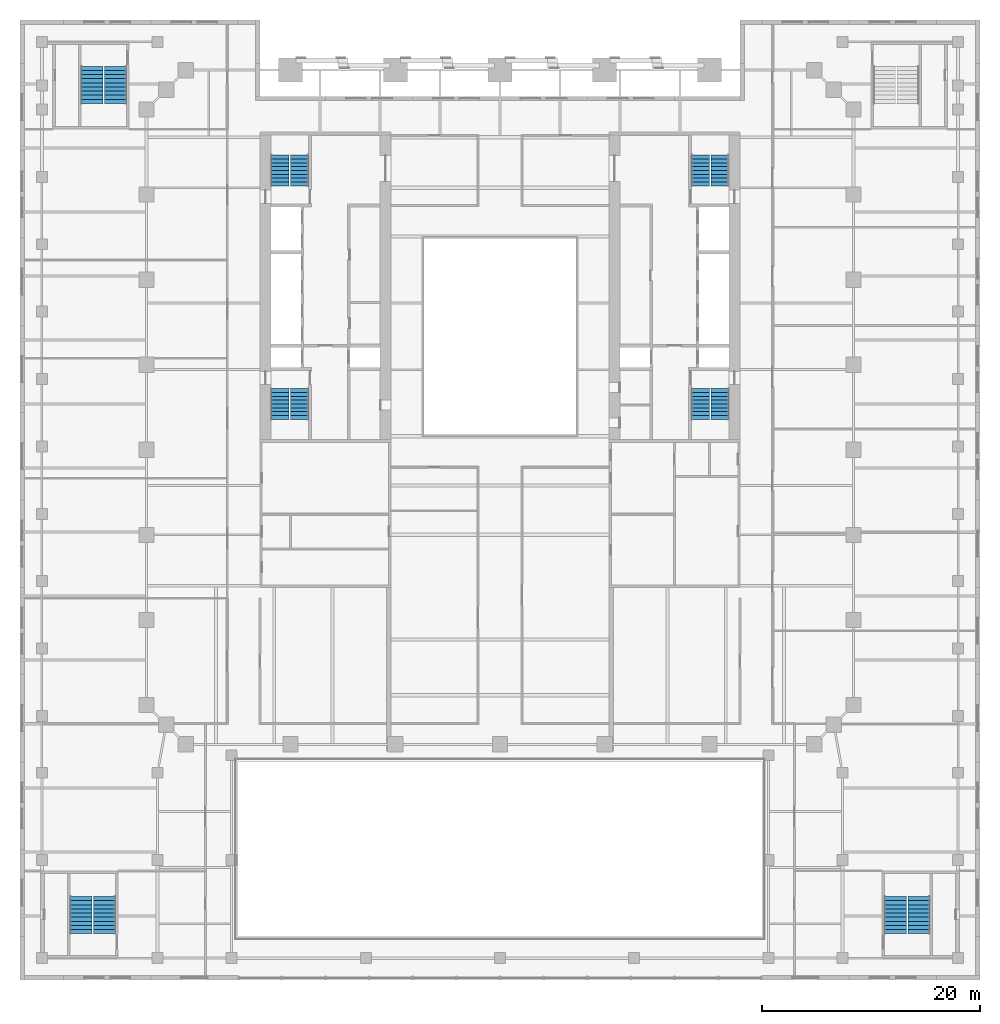
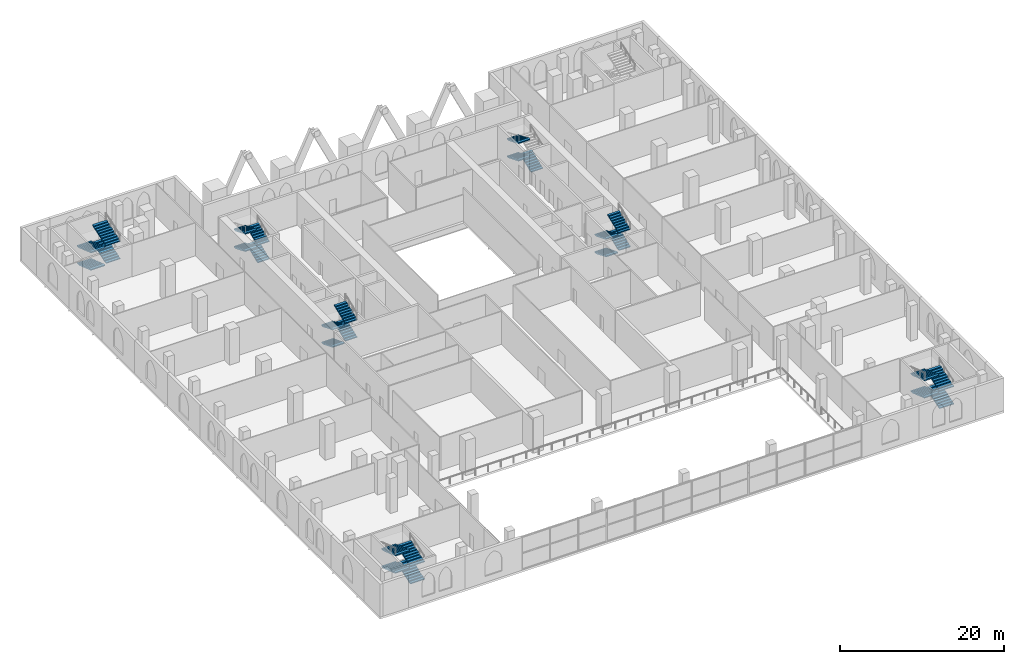
# One storey, part 19 of 22: 27 stair flights, 7 elements without a shape of their own.
"""IFC4 building model written with IfcOpenShell, lengths in metres."""

from ifc_helpers import new_model, si_unit, direction, frame, origin, place, context, subcontext, project, spatial, polyline, outline, extrude, material, type_object, element, aggregate, save


model = new_model("IFC4")

# Units and contexts
model_context = context("Model", 3, precision=1e-05, world=origin(), true_north=direction((0.0, 1.0)))
body_context = subcontext(model_context, "Body", "Model", "MODEL_VIEW")
ifc_project = project(units=[si_unit("LENGTHUNIT", "METRE"), si_unit("AREAUNIT", "SQUARE_METRE"), si_unit("VOLUMEUNIT", "CUBIC_METRE"), si_unit("PLANEANGLEUNIT", "RADIAN"), si_unit("MASSUNIT", "GRAM", prefix="KILO")], contexts=[model_context])

# Site, building, storey
site_placement = place(None, origin())
site = spatial("IfcSite", under=ifc_project, at=site_placement, CompositionType="ELEMENT")
building_placement = place(site_placement, origin())
building = spatial("IfcBuilding", under=site, at=building_placement, Name="Ogive Exchange Tower", CompositionType="ELEMENT")
storey_placement = place(building_placement, frame((0.0, 0.0, 14.0)))
storey = spatial("IfcBuildingStorey", under=building, at=storey_placement, Name="L02", CompositionType="ELEMENT", Elevation=14.0)

# Stair, stair flights
ifc_material = material(Name="Concrete C40/50", Category="concrete")
stair_type_1 = type_object("IfcStairType", Name="Exit stair 1650 wide", PredefinedType="HALF_TURN_STAIR", material=ifc_material)
stair_1_placement = place(storey_placement, origin())
stair_1 = element("IfcStair", 1, at=stair_1_placement, inside=storey, type_object=stair_type_1, Name="L02 exit stair ST1", PredefinedType="HALF_TURN_STAIR")
stair_flight_type_1 = type_object("IfcStairFlightType", Name="Stair flight 1650 wide", PredefinedType="STRAIGHT", material=ifc_material)
stair_flight_1_placement = place(storey_placement, frame((-20.175048828125, 2.199951171875, 0.0), z_axis=(0.0, 0.0, 1.0), x_axis=(0.0, -1.0, 0.0)))
stair_flight_1 = element("IfcStairFlight", 2, at=stair_flight_1_placement, type_object=stair_flight_type_1, Name="ST1 flight 1", NumberOfRisers=9, NumberOfTreads=8, PredefinedType="STRAIGHT", RiserHeight=0.144444444, TreadLength=0.351, context=body_context, shape_type="SweptSolid", body=[
    extrude(outline(polyline([(0.0, 0.0), (0.0, 0.14453125), (0.35107421875, 0.14453125), (0.35107421875, 0.288818359375), (0.701904296875, 0.288818359375), (0.701904296875, 0.433349609375), (1.052978515625, 0.433349609375), (1.052978515625, 0.577880859375), (1.404052734375, 0.577880859375), (1.404052734375, 0.72216796875), (1.7548828125, 0.72216796875), (1.7548828125, 0.86669921875), (2.10595703125, 0.86669921875), (2.10595703125, 1.01123046875), (2.45703125, 1.01123046875), (2.45703125, 1.155517578125), (2.80810546875, 1.155517578125), (2.80810546875, 1.300048828125), (2.80810546875, 0.993408203125), (0.393798828125, 0.0), (0.0, 0.0)])), frame((0.0, 0.824951171875, 0.0), z_axis=(0.0, -1.0, 0.0), x_axis=(1.0, 0.0, 0.0)), (0.0, 0.0, 1.0), 1.64990234375),
])
stair_flight_2_placement = place(storey_placement, frame((-18.375, -0.60791015625, 1.300048828125), z_axis=(0.0, 0.0, 1.0), x_axis=(0.0, 1.0, 0.0)))
stair_flight_2 = element("IfcStairFlight", 3, at=stair_flight_2_placement, type_object=stair_flight_type_1, Name="ST1 flight 2", NumberOfRisers=9, NumberOfTreads=8, PredefinedType="STRAIGHT", RiserHeight=0.144444444, TreadLength=0.351, context=body_context, shape_type="SweptSolid", body=[
    extrude(outline(polyline([(0.0, 0.0), (0.0, 0.14453125), (0.35107421875, 0.14453125), (0.35107421875, 0.288818359375), (0.701904296875, 0.288818359375), (0.701904296875, 0.433349609375), (1.052978515625, 0.433349609375), (1.052978515625, 0.577880859375), (1.404052734375, 0.577880859375), (1.404052734375, 0.72216796875), (1.7548828125, 0.72216796875), (1.7548828125, 0.86669921875), (2.10595703125, 0.86669921875), (2.10595703125, 1.01123046875), (2.45703125, 1.01123046875), (2.45703125, 1.155517578125), (2.80810546875, 1.155517578125), (2.80810546875, 1.300048828125), (2.80810546875, 0.993408203125), (0.393798828125, 0.0), (0.0, 0.0)])), frame((0.0, 0.824951171875, 0.0), z_axis=(0.0, -1.0, 0.0), x_axis=(1.0, 0.0, 0.0)), (0.0, 0.0, 1.0), 1.64990234375),
])
stair_flight_3_placement = place(storey_placement, frame((-20.175048828125, 2.199951171875, 2.60009765625), z_axis=(0.0, 0.0, 1.0), x_axis=(0.0, -1.0, 0.0)))
stair_flight_3 = element("IfcStairFlight", 4, at=stair_flight_3_placement, type_object=stair_flight_type_1, Name="ST1 flight 3", NumberOfRisers=9, NumberOfTreads=8, PredefinedType="STRAIGHT", RiserHeight=0.144444444, TreadLength=0.351, context=body_context, shape_type="SweptSolid", body=[
    extrude(outline(polyline([(0.0, 0.0), (0.0, 0.14453125), (0.35107421875, 0.14453125), (0.35107421875, 0.288818359375), (0.701904296875, 0.288818359375), (0.701904296875, 0.433349609375), (1.052978515625, 0.433349609375), (1.052978515625, 0.577880859375), (1.404052734375, 0.577880859375), (1.404052734375, 0.72216796875), (1.7548828125, 0.72216796875), (1.7548828125, 0.86669921875), (2.10595703125, 0.86669921875), (2.10595703125, 1.01123046875), (2.45703125, 1.01123046875), (2.45703125, 1.155517578125), (2.80810546875, 1.155517578125), (2.80810546875, 1.300048828125), (2.80810546875, 0.993408203125), (0.393798828125, 0.0), (0.0, 0.0)])), frame((0.0, 0.824951171875, 0.0), z_axis=(0.0, -1.0, 0.0), x_axis=(1.0, 0.0, 0.0)), (0.0, 0.0, 1.0), 1.64990234375),
])
stair_flight_4_placement = place(storey_placement, frame((-18.375, -0.60791015625, 3.89990234375), z_axis=(0.0, 0.0, 1.0), x_axis=(0.0, 1.0, 0.0)))
stair_flight_4 = element("IfcStairFlight", 5, at=stair_flight_4_placement, type_object=stair_flight_type_1, Name="ST1 flight 4", NumberOfRisers=9, NumberOfTreads=8, PredefinedType="STRAIGHT", RiserHeight=0.144444444, TreadLength=0.351, context=body_context, shape_type="SweptSolid", body=[
    extrude(outline(polyline([(0.0, 0.0), (0.0, 0.14453125), (0.35107421875, 0.14453125), (0.35107421875, 0.288818359375), (0.701904296875, 0.288818359375), (0.701904296875, 0.433349609375), (1.052978515625, 0.433349609375), (1.052978515625, 0.577880859375), (1.404052734375, 0.577880859375), (1.404052734375, 0.72216796875), (1.7548828125, 0.72216796875), (1.7548828125, 0.86669921875), (2.10595703125, 0.86669921875), (2.10595703125, 1.01123046875), (2.45703125, 1.01123046875), (2.45703125, 1.155517578125), (2.80810546875, 1.155517578125), (2.80810546875, 1.300048828125), (2.80810546875, 0.993408203125), (0.393798828125, 0.0), (0.0, 0.0)])), frame((0.0, 0.824951171875, 0.0), z_axis=(0.0, -1.0, 0.0), x_axis=(1.0, 0.0, 0.0)), (0.0, 0.0, 1.0), 1.64990234375),
])
aggregate(stair_1, [stair_flight_1, stair_flight_2, stair_flight_3, stair_flight_4])

stair_2_placement = place(storey_placement, origin())
stair_2 = element("IfcStair", 6, at=stair_2_placement, inside=storey, type_object=stair_type_1, Name="L02 exit stair ST2", PredefinedType="HALF_TURN_STAIR")
stair_flight_5_placement = place(storey_placement, frame((-18.375, 20.800048828125, 0.0), z_axis=(0.0, 0.0, 1.0), x_axis=(0.0, 1.0, 0.0)))
stair_flight_5 = element("IfcStairFlight", 7, at=stair_flight_5_placement, type_object=stair_flight_type_1, Name="ST2 flight 1", NumberOfRisers=9, NumberOfTreads=8, PredefinedType="STRAIGHT", RiserHeight=0.144444444, TreadLength=0.351, context=body_context, shape_type="SweptSolid", body=[
    extrude(outline(polyline([(0.0, 0.0), (0.0, 0.14453125), (0.35107421875, 0.14453125), (0.35107421875, 0.288818359375), (0.701904296875, 0.288818359375), (0.701904296875, 0.433349609375), (1.052978515625, 0.433349609375), (1.052978515625, 0.577880859375), (1.404052734375, 0.577880859375), (1.404052734375, 0.72216796875), (1.7548828125, 0.72216796875), (1.7548828125, 0.86669921875), (2.10595703125, 0.86669921875), (2.10595703125, 1.01123046875), (2.45703125, 1.01123046875), (2.45703125, 1.155517578125), (2.80810546875, 1.155517578125), (2.80810546875, 1.300048828125), (2.80810546875, 0.993408203125), (0.393798828125, 0.0), (0.0, 0.0)])), frame((0.0, 0.824951171875, 0.0), z_axis=(0.0, -1.0, 0.0), x_axis=(1.0, 0.0, 0.0)), (0.0, 0.0, 1.0), 1.64990234375),
])
stair_flight_6_placement = place(storey_placement, frame((-20.175048828125, 23.60791015625, 1.300048828125), z_axis=(0.0, 0.0, 1.0), x_axis=(0.0, -1.0, 0.0)))
stair_flight_6 = element("IfcStairFlight", 8, at=stair_flight_6_placement, type_object=stair_flight_type_1, Name="ST2 flight 2", NumberOfRisers=9, NumberOfTreads=8, PredefinedType="STRAIGHT", RiserHeight=0.144444444, TreadLength=0.351, context=body_context, shape_type="SweptSolid", body=[
    extrude(outline(polyline([(0.0, 0.0), (0.0, 0.14453125), (0.35107421875, 0.14453125), (0.35107421875, 0.288818359375), (0.701904296875, 0.288818359375), (0.701904296875, 0.433349609375), (1.052978515625, 0.433349609375), (1.052978515625, 0.577880859375), (1.404052734375, 0.577880859375), (1.404052734375, 0.72216796875), (1.7548828125, 0.72216796875), (1.7548828125, 0.86669921875), (2.10595703125, 0.86669921875), (2.10595703125, 1.01123046875), (2.45703125, 1.01123046875), (2.45703125, 1.155517578125), (2.80810546875, 1.155517578125), (2.80810546875, 1.300048828125), (2.80810546875, 0.993408203125), (0.393798828125, 0.0), (0.0, 0.0)])), frame((0.0, 0.824951171875, 0.0), z_axis=(0.0, -1.0, 0.0), x_axis=(1.0, 0.0, 0.0)), (0.0, 0.0, 1.0), 1.64990234375),
])
stair_flight_7_placement = place(storey_placement, frame((-18.375, 20.800048828125, 2.60009765625), z_axis=(0.0, 0.0, 1.0), x_axis=(0.0, 1.0, 0.0)))
stair_flight_7 = element("IfcStairFlight", 9, at=stair_flight_7_placement, type_object=stair_flight_type_1, Name="ST2 flight 3", NumberOfRisers=9, NumberOfTreads=8, PredefinedType="STRAIGHT", RiserHeight=0.144444444, TreadLength=0.351, context=body_context, shape_type="SweptSolid", body=[
    extrude(outline(polyline([(0.0, 0.0), (0.0, 0.14453125), (0.35107421875, 0.14453125), (0.35107421875, 0.288818359375), (0.701904296875, 0.288818359375), (0.701904296875, 0.433349609375), (1.052978515625, 0.433349609375), (1.052978515625, 0.577880859375), (1.404052734375, 0.577880859375), (1.404052734375, 0.72216796875), (1.7548828125, 0.72216796875), (1.7548828125, 0.86669921875), (2.10595703125, 0.86669921875), (2.10595703125, 1.01123046875), (2.45703125, 1.01123046875), (2.45703125, 1.155517578125), (2.80810546875, 1.155517578125), (2.80810546875, 1.300048828125), (2.80810546875, 0.993408203125), (0.393798828125, 0.0), (0.0, 0.0)])), frame((0.0, 0.824951171875, 0.0), z_axis=(0.0, -1.0, 0.0), x_axis=(1.0, 0.0, 0.0)), (0.0, 0.0, 1.0), 1.64990234375),
])
stair_flight_8_placement = place(storey_placement, frame((-20.175048828125, 23.60791015625, 3.89990234375), z_axis=(0.0, 0.0, 1.0), x_axis=(0.0, -1.0, 0.0)))
stair_flight_8 = element("IfcStairFlight", 10, at=stair_flight_8_placement, type_object=stair_flight_type_1, Name="ST2 flight 4", NumberOfRisers=9, NumberOfTreads=8, PredefinedType="STRAIGHT", RiserHeight=0.144444444, TreadLength=0.351, context=body_context, shape_type="SweptSolid", body=[
    extrude(outline(polyline([(0.0, 0.0), (0.0, 0.14453125), (0.35107421875, 0.14453125), (0.35107421875, 0.288818359375), (0.701904296875, 0.288818359375), (0.701904296875, 0.433349609375), (1.052978515625, 0.433349609375), (1.052978515625, 0.577880859375), (1.404052734375, 0.577880859375), (1.404052734375, 0.72216796875), (1.7548828125, 0.72216796875), (1.7548828125, 0.86669921875), (2.10595703125, 0.86669921875), (2.10595703125, 1.01123046875), (2.45703125, 1.01123046875), (2.45703125, 1.155517578125), (2.80810546875, 1.155517578125), (2.80810546875, 1.300048828125), (2.80810546875, 0.993408203125), (0.393798828125, 0.0), (0.0, 0.0)])), frame((0.0, 0.824951171875, 0.0), z_axis=(0.0, -1.0, 0.0), x_axis=(1.0, 0.0, 0.0)), (0.0, 0.0, 1.0), 1.64990234375),
])
aggregate(stair_2, [stair_flight_5, stair_flight_6, stair_flight_7, stair_flight_8])

stair_3_placement = place(storey_placement, origin())
stair_3 = element("IfcStair", 11, at=stair_3_placement, inside=storey, type_object=stair_type_1, Name="L02 exit stair ST3", PredefinedType="HALF_TURN_STAIR")
stair_flight_9_placement = place(storey_placement, frame((18.375, 2.199951171875, 0.0), z_axis=(0.0, 0.0, 1.0), x_axis=(0.0, -1.0, 0.0)))
stair_flight_9 = element("IfcStairFlight", 12, at=stair_flight_9_placement, type_object=stair_flight_type_1, Name="ST3 flight 1", NumberOfRisers=9, NumberOfTreads=8, PredefinedType="STRAIGHT", RiserHeight=0.144444444, TreadLength=0.351, context=body_context, shape_type="SweptSolid", body=[
    extrude(outline(polyline([(0.0, 0.0), (0.0, 0.14453125), (0.35107421875, 0.14453125), (0.35107421875, 0.288818359375), (0.701904296875, 0.288818359375), (0.701904296875, 0.433349609375), (1.052978515625, 0.433349609375), (1.052978515625, 0.577880859375), (1.404052734375, 0.577880859375), (1.404052734375, 0.72216796875), (1.7548828125, 0.72216796875), (1.7548828125, 0.86669921875), (2.10595703125, 0.86669921875), (2.10595703125, 1.01123046875), (2.45703125, 1.01123046875), (2.45703125, 1.155517578125), (2.80810546875, 1.155517578125), (2.80810546875, 1.300048828125), (2.80810546875, 0.993408203125), (0.393798828125, 0.0), (0.0, 0.0)])), frame((0.0, 0.824951171875, 0.0), z_axis=(0.0, -1.0, 0.0), x_axis=(1.0, 0.0, 0.0)), (0.0, 0.0, 1.0), 1.64990234375),
])
stair_flight_10_placement = place(storey_placement, frame((20.175048828125, -0.60791015625, 1.300048828125), z_axis=(0.0, 0.0, 1.0), x_axis=(0.0, 1.0, 0.0)))
stair_flight_10 = element("IfcStairFlight", 13, at=stair_flight_10_placement, type_object=stair_flight_type_1, Name="ST3 flight 2", NumberOfRisers=9, NumberOfTreads=8, PredefinedType="STRAIGHT", RiserHeight=0.144444444, TreadLength=0.351, context=body_context, shape_type="SweptSolid", body=[
    extrude(outline(polyline([(0.0, 0.0), (0.0, 0.14453125), (0.35107421875, 0.14453125), (0.35107421875, 0.288818359375), (0.701904296875, 0.288818359375), (0.701904296875, 0.433349609375), (1.052978515625, 0.433349609375), (1.052978515625, 0.577880859375), (1.404052734375, 0.577880859375), (1.404052734375, 0.72216796875), (1.7548828125, 0.72216796875), (1.7548828125, 0.86669921875), (2.10595703125, 0.86669921875), (2.10595703125, 1.01123046875), (2.45703125, 1.01123046875), (2.45703125, 1.155517578125), (2.80810546875, 1.155517578125), (2.80810546875, 1.300048828125), (2.80810546875, 0.993408203125), (0.393798828125, 0.0), (0.0, 0.0)])), frame((0.0, 0.824951171875, 0.0), z_axis=(0.0, -1.0, 0.0), x_axis=(1.0, 0.0, 0.0)), (0.0, 0.0, 1.0), 1.64990234375),
])
stair_flight_11_placement = place(storey_placement, frame((18.375, 2.199951171875, 2.60009765625), z_axis=(0.0, 0.0, 1.0), x_axis=(0.0, -1.0, 0.0)))
stair_flight_11 = element("IfcStairFlight", 14, at=stair_flight_11_placement, type_object=stair_flight_type_1, Name="ST3 flight 3", NumberOfRisers=9, NumberOfTreads=8, PredefinedType="STRAIGHT", RiserHeight=0.144444444, TreadLength=0.351, context=body_context, shape_type="SweptSolid", body=[
    extrude(outline(polyline([(0.0, 0.0), (0.0, 0.14453125), (0.35107421875, 0.14453125), (0.35107421875, 0.288818359375), (0.701904296875, 0.288818359375), (0.701904296875, 0.433349609375), (1.052978515625, 0.433349609375), (1.052978515625, 0.577880859375), (1.404052734375, 0.577880859375), (1.404052734375, 0.72216796875), (1.7548828125, 0.72216796875), (1.7548828125, 0.86669921875), (2.10595703125, 0.86669921875), (2.10595703125, 1.01123046875), (2.45703125, 1.01123046875), (2.45703125, 1.155517578125), (2.80810546875, 1.155517578125), (2.80810546875, 1.300048828125), (2.80810546875, 0.993408203125), (0.393798828125, 0.0), (0.0, 0.0)])), frame((0.0, 0.824951171875, 0.0), z_axis=(0.0, -1.0, 0.0), x_axis=(1.0, 0.0, 0.0)), (0.0, 0.0, 1.0), 1.64990234375),
])
stair_flight_12_placement = place(storey_placement, frame((20.175048828125, -0.60791015625, 3.89990234375), z_axis=(0.0, 0.0, 1.0), x_axis=(0.0, 1.0, 0.0)))
stair_flight_12 = element("IfcStairFlight", 15, at=stair_flight_12_placement, type_object=stair_flight_type_1, Name="ST3 flight 4", NumberOfRisers=9, NumberOfTreads=8, PredefinedType="STRAIGHT", RiserHeight=0.144444444, TreadLength=0.351, context=body_context, shape_type="SweptSolid", body=[
    extrude(outline(polyline([(0.0, 0.0), (0.0, 0.14453125), (0.35107421875, 0.14453125), (0.35107421875, 0.288818359375), (0.701904296875, 0.288818359375), (0.701904296875, 0.433349609375), (1.052978515625, 0.433349609375), (1.052978515625, 0.577880859375), (1.404052734375, 0.577880859375), (1.404052734375, 0.72216796875), (1.7548828125, 0.72216796875), (1.7548828125, 0.86669921875), (2.10595703125, 0.86669921875), (2.10595703125, 1.01123046875), (2.45703125, 1.01123046875), (2.45703125, 1.155517578125), (2.80810546875, 1.155517578125), (2.80810546875, 1.300048828125), (2.80810546875, 0.993408203125), (0.393798828125, 0.0), (0.0, 0.0)])), frame((0.0, 0.824951171875, 0.0), z_axis=(0.0, -1.0, 0.0), x_axis=(1.0, 0.0, 0.0)), (0.0, 0.0, 1.0), 1.64990234375),
])
aggregate(stair_3, [stair_flight_9, stair_flight_10, stair_flight_11, stair_flight_12])

stair_4_placement = place(storey_placement, origin())
stair_4 = element("IfcStair", 16, at=stair_4_placement, inside=storey, type_object=stair_type_1, Name="L02 exit stair ST4", PredefinedType="HALF_TURN_STAIR")
stair_flight_13_placement = place(storey_placement, frame((20.175048828125, 20.800048828125, 0.0), z_axis=(0.0, 0.0, 1.0), x_axis=(0.0, 1.0, 0.0)))
stair_flight_13 = element("IfcStairFlight", 17, at=stair_flight_13_placement, type_object=stair_flight_type_1, Name="ST4 flight 1", NumberOfRisers=9, NumberOfTreads=8, PredefinedType="STRAIGHT", RiserHeight=0.144444444, TreadLength=0.351, context=body_context, shape_type="SweptSolid", body=[
    extrude(outline(polyline([(0.0, 0.0), (0.0, 0.14453125), (0.35107421875, 0.14453125), (0.35107421875, 0.288818359375), (0.701904296875, 0.288818359375), (0.701904296875, 0.433349609375), (1.052978515625, 0.433349609375), (1.052978515625, 0.577880859375), (1.404052734375, 0.577880859375), (1.404052734375, 0.72216796875), (1.7548828125, 0.72216796875), (1.7548828125, 0.86669921875), (2.10595703125, 0.86669921875), (2.10595703125, 1.01123046875), (2.45703125, 1.01123046875), (2.45703125, 1.155517578125), (2.80810546875, 1.155517578125), (2.80810546875, 1.300048828125), (2.80810546875, 0.993408203125), (0.393798828125, 0.0), (0.0, 0.0)])), frame((0.0, 0.824951171875, 0.0), z_axis=(0.0, -1.0, 0.0), x_axis=(1.0, 0.0, 0.0)), (0.0, 0.0, 1.0), 1.64990234375),
])
stair_flight_14_placement = place(storey_placement, frame((18.375, 23.60791015625, 1.300048828125), z_axis=(0.0, 0.0, 1.0), x_axis=(0.0, -1.0, 0.0)))
stair_flight_14 = element("IfcStairFlight", 18, at=stair_flight_14_placement, type_object=stair_flight_type_1, Name="ST4 flight 2", NumberOfRisers=9, NumberOfTreads=8, PredefinedType="STRAIGHT", RiserHeight=0.144444444, TreadLength=0.351, context=body_context, shape_type="SweptSolid", body=[
    extrude(outline(polyline([(0.0, 0.0), (0.0, 0.14453125), (0.35107421875, 0.14453125), (0.35107421875, 0.288818359375), (0.701904296875, 0.288818359375), (0.701904296875, 0.433349609375), (1.052978515625, 0.433349609375), (1.052978515625, 0.577880859375), (1.404052734375, 0.577880859375), (1.404052734375, 0.72216796875), (1.7548828125, 0.72216796875), (1.7548828125, 0.86669921875), (2.10595703125, 0.86669921875), (2.10595703125, 1.01123046875), (2.45703125, 1.01123046875), (2.45703125, 1.155517578125), (2.80810546875, 1.155517578125), (2.80810546875, 1.300048828125), (2.80810546875, 0.993408203125), (0.393798828125, 0.0), (0.0, 0.0)])), frame((0.0, 0.824951171875, 0.0), z_axis=(0.0, -1.0, 0.0), x_axis=(1.0, 0.0, 0.0)), (0.0, 0.0, 1.0), 1.64990234375),
])
stair_flight_15_placement = place(storey_placement, frame((18.375, 23.60791015625, 3.89990234375), z_axis=(0.0, 0.0, 1.0), x_axis=(0.0, -1.0, 0.0)))
stair_flight_15 = element("IfcStairFlight", 19, at=stair_flight_15_placement, type_object=stair_flight_type_1, Name="ST4 flight 4", NumberOfRisers=9, NumberOfTreads=8, PredefinedType="STRAIGHT", RiserHeight=0.144444444, TreadLength=0.351, context=body_context, shape_type="SweptSolid", body=[
    extrude(outline(polyline([(0.0, 0.0), (0.0, 0.14453125), (0.35107421875, 0.14453125), (0.35107421875, 0.288818359375), (0.701904296875, 0.288818359375), (0.701904296875, 0.433349609375), (1.052978515625, 0.433349609375), (1.052978515625, 0.577880859375), (1.404052734375, 0.577880859375), (1.404052734375, 0.72216796875), (1.7548828125, 0.72216796875), (1.7548828125, 0.86669921875), (2.10595703125, 0.86669921875), (2.10595703125, 1.01123046875), (2.45703125, 1.01123046875), (2.45703125, 1.155517578125), (2.80810546875, 1.155517578125), (2.80810546875, 1.300048828125), (2.80810546875, 0.993408203125), (0.393798828125, 0.0), (0.0, 0.0)])), frame((0.0, 0.824951171875, 0.0), z_axis=(0.0, -1.0, 0.0), x_axis=(1.0, 0.0, 0.0)), (0.0, 0.0, 1.0), 1.64990234375),
])
aggregate(stair_4, [stair_flight_13, stair_flight_14, stair_flight_15])

stair_type_2 = type_object("IfcStairType", Name="Exit stair 2000 wide", PredefinedType="HALF_TURN_STAIR", material=ifc_material)
stair_5_placement = place(storey_placement, origin())
stair_5 = element("IfcStair", 20, at=stair_5_placement, inside=storey, type_object=stair_type_2, Name="L02 exit stair PS1", PredefinedType="HALF_TURN_STAIR")
stair_flight_type_2 = type_object("IfcStairFlightType", Name="Stair flight 2000 wide", PredefinedType="STRAIGHT", material=ifc_material)
stair_flight_16_placement = place(storey_placement, frame((-36.25, -47.75, 0.0), z_axis=(0.0, 0.0, 1.0), x_axis=(0.0, 1.0, 0.0)))
stair_flight_16 = element("IfcStairFlight", 21, at=stair_flight_16_placement, type_object=stair_flight_type_2, Name="PS1 flight 1", NumberOfRisers=10, NumberOfTreads=9, PredefinedType="STRAIGHT", RiserHeight=0.13, TreadLength=0.378, context=body_context, shape_type="SweptSolid", body=[
    extrude(outline(polyline([(0.0, 0.0), (0.0, 0.1298828125), (0.3779296875, 0.1298828125), (0.3779296875, 0.260009765625), (0.756103515625, 0.260009765625), (0.756103515625, 0.389892578125), (1.134033203125, 0.389892578125), (1.134033203125, 0.52001953125), (1.511962890625, 0.52001953125), (1.511962890625, 0.64990234375), (1.889892578125, 0.64990234375), (1.889892578125, 0.780029296875), (2.26806640625, 0.780029296875), (2.26806640625, 0.909912109375), (2.64599609375, 0.909912109375), (2.64599609375, 1.0400390625), (3.02392578125, 1.0400390625), (3.02392578125, 1.169921875), (3.402099609375, 1.169921875), (3.402099609375, 1.300048828125), (3.402099609375, 1.011474609375), (0.4609375, 0.0), (0.0, 0.0)])), frame((0.0, 1.0, 0.0), z_axis=(0.0, -1.0, 0.0), x_axis=(1.0, 0.0, 0.0)), (0.0, 0.0, 1.0), 2.0),
])
stair_flight_17_placement = place(storey_placement, frame((-38.39990234375, -44.347900390625, 1.300048828125), z_axis=(0.0, 0.0, 1.0), x_axis=(0.0, -1.0, 0.0)))
stair_flight_17 = element("IfcStairFlight", 22, at=stair_flight_17_placement, type_object=stair_flight_type_2, Name="PS1 flight 2", NumberOfRisers=10, NumberOfTreads=9, PredefinedType="STRAIGHT", RiserHeight=0.13, TreadLength=0.378, context=body_context, shape_type="SweptSolid", body=[
    extrude(outline(polyline([(0.0, 0.0), (0.0, 0.1298828125), (0.3779296875, 0.1298828125), (0.3779296875, 0.260009765625), (0.756103515625, 0.260009765625), (0.756103515625, 0.389892578125), (1.134033203125, 0.389892578125), (1.134033203125, 0.52001953125), (1.511962890625, 0.52001953125), (1.511962890625, 0.64990234375), (1.889892578125, 0.64990234375), (1.889892578125, 0.780029296875), (2.26806640625, 0.780029296875), (2.26806640625, 0.909912109375), (2.64599609375, 0.909912109375), (2.64599609375, 1.0400390625), (3.02392578125, 1.0400390625), (3.02392578125, 1.169921875), (3.402099609375, 1.169921875), (3.402099609375, 1.300048828125), (3.402099609375, 1.011474609375), (0.4609375, 0.0), (0.0, 0.0)])), frame((0.0, 1.0, 0.0), z_axis=(0.0, -1.0, 0.0), x_axis=(1.0, 0.0, 0.0)), (0.0, 0.0, 1.0), 2.0),
])
stair_flight_18_placement = place(storey_placement, frame((-36.25, -47.75, 2.60009765625), z_axis=(0.0, 0.0, 1.0), x_axis=(0.0, 1.0, 0.0)))
stair_flight_18 = element("IfcStairFlight", 23, at=stair_flight_18_placement, type_object=stair_flight_type_2, Name="PS1 flight 3", NumberOfRisers=10, NumberOfTreads=9, PredefinedType="STRAIGHT", RiserHeight=0.13, TreadLength=0.378, context=body_context, shape_type="SweptSolid", body=[
    extrude(outline(polyline([(0.0, 0.0), (0.0, 0.1298828125), (0.3779296875, 0.1298828125), (0.3779296875, 0.260009765625), (0.756103515625, 0.260009765625), (0.756103515625, 0.389892578125), (1.134033203125, 0.389892578125), (1.134033203125, 0.52001953125), (1.511962890625, 0.52001953125), (1.511962890625, 0.64990234375), (1.889892578125, 0.64990234375), (1.889892578125, 0.780029296875), (2.26806640625, 0.780029296875), (2.26806640625, 0.909912109375), (2.64599609375, 0.909912109375), (2.64599609375, 1.0400390625), (3.02392578125, 1.0400390625), (3.02392578125, 1.169921875), (3.402099609375, 1.169921875), (3.402099609375, 1.300048828125), (3.402099609375, 1.011474609375), (0.4609375, 0.0), (0.0, 0.0)])), frame((0.0, 1.0, 0.0), z_axis=(0.0, -1.0, 0.0), x_axis=(1.0, 0.0, 0.0)), (0.0, 0.0, 1.0), 2.0),
])
stair_flight_19_placement = place(storey_placement, frame((-38.39990234375, -44.347900390625, 3.89990234375), z_axis=(0.0, 0.0, 1.0), x_axis=(0.0, -1.0, 0.0)))
stair_flight_19 = element("IfcStairFlight", 24, at=stair_flight_19_placement, type_object=stair_flight_type_2, Name="PS1 flight 4", NumberOfRisers=10, NumberOfTreads=9, PredefinedType="STRAIGHT", RiserHeight=0.13, TreadLength=0.378, context=body_context, shape_type="SweptSolid", body=[
    extrude(outline(polyline([(0.0, 0.0), (0.0, 0.1298828125), (0.3779296875, 0.1298828125), (0.3779296875, 0.260009765625), (0.756103515625, 0.260009765625), (0.756103515625, 0.389892578125), (1.134033203125, 0.389892578125), (1.134033203125, 0.52001953125), (1.511962890625, 0.52001953125), (1.511962890625, 0.64990234375), (1.889892578125, 0.64990234375), (1.889892578125, 0.780029296875), (2.26806640625, 0.780029296875), (2.26806640625, 0.909912109375), (2.64599609375, 0.909912109375), (2.64599609375, 1.0400390625), (3.02392578125, 1.0400390625), (3.02392578125, 1.169921875), (3.402099609375, 1.169921875), (3.402099609375, 1.300048828125), (3.402099609375, 1.011474609375), (0.4609375, 0.0), (0.0, 0.0)])), frame((0.0, 1.0, 0.0), z_axis=(0.0, -1.0, 0.0), x_axis=(1.0, 0.0, 0.0)), (0.0, 0.0, 1.0), 2.0),
])
aggregate(stair_5, [stair_flight_16, stair_flight_17, stair_flight_18, stair_flight_19])

stair_6_placement = place(storey_placement, origin())
stair_6 = element("IfcStair", 25, at=stair_6_placement, inside=storey, type_object=stair_type_2, Name="L02 exit stair PS2", PredefinedType="HALF_TURN_STAIR")
stair_flight_20_placement = place(storey_placement, frame((38.39990234375, -47.75, 0.0), z_axis=(0.0, 0.0, 1.0), x_axis=(0.0, 1.0, 0.0)))
stair_flight_20 = element("IfcStairFlight", 26, at=stair_flight_20_placement, type_object=stair_flight_type_2, Name="PS2 flight 1", NumberOfRisers=10, NumberOfTreads=9, PredefinedType="STRAIGHT", RiserHeight=0.13, TreadLength=0.378, context=body_context, shape_type="SweptSolid", body=[
    extrude(outline(polyline([(0.0, 0.0), (0.0, 0.1298828125), (0.3779296875, 0.1298828125), (0.3779296875, 0.260009765625), (0.756103515625, 0.260009765625), (0.756103515625, 0.389892578125), (1.134033203125, 0.389892578125), (1.134033203125, 0.52001953125), (1.511962890625, 0.52001953125), (1.511962890625, 0.64990234375), (1.889892578125, 0.64990234375), (1.889892578125, 0.780029296875), (2.26806640625, 0.780029296875), (2.26806640625, 0.909912109375), (2.64599609375, 0.909912109375), (2.64599609375, 1.0400390625), (3.02392578125, 1.0400390625), (3.02392578125, 1.169921875), (3.402099609375, 1.169921875), (3.402099609375, 1.300048828125), (3.402099609375, 1.011474609375), (0.4609375, 0.0), (0.0, 0.0)])), frame((0.0, 1.0, 0.0), z_axis=(0.0, -1.0, 0.0), x_axis=(1.0, 0.0, 0.0)), (0.0, 0.0, 1.0), 2.0),
])
stair_flight_21_placement = place(storey_placement, frame((36.25, -44.347900390625, 1.300048828125), z_axis=(0.0, 0.0, 1.0), x_axis=(0.0, -1.0, 0.0)))
stair_flight_21 = element("IfcStairFlight", 27, at=stair_flight_21_placement, type_object=stair_flight_type_2, Name="PS2 flight 2", NumberOfRisers=10, NumberOfTreads=9, PredefinedType="STRAIGHT", RiserHeight=0.13, TreadLength=0.378, context=body_context, shape_type="SweptSolid", body=[
    extrude(outline(polyline([(0.0, 0.0), (0.0, 0.1298828125), (0.3779296875, 0.1298828125), (0.3779296875, 0.260009765625), (0.756103515625, 0.260009765625), (0.756103515625, 0.389892578125), (1.134033203125, 0.389892578125), (1.134033203125, 0.52001953125), (1.511962890625, 0.52001953125), (1.511962890625, 0.64990234375), (1.889892578125, 0.64990234375), (1.889892578125, 0.780029296875), (2.26806640625, 0.780029296875), (2.26806640625, 0.909912109375), (2.64599609375, 0.909912109375), (2.64599609375, 1.0400390625), (3.02392578125, 1.0400390625), (3.02392578125, 1.169921875), (3.402099609375, 1.169921875), (3.402099609375, 1.300048828125), (3.402099609375, 1.011474609375), (0.4609375, 0.0), (0.0, 0.0)])), frame((0.0, 1.0, 0.0), z_axis=(0.0, -1.0, 0.0), x_axis=(1.0, 0.0, 0.0)), (0.0, 0.0, 1.0), 2.0),
])
stair_flight_22_placement = place(storey_placement, frame((38.39990234375, -47.75, 2.60009765625), z_axis=(0.0, 0.0, 1.0), x_axis=(0.0, 1.0, 0.0)))
stair_flight_22 = element("IfcStairFlight", 28, at=stair_flight_22_placement, type_object=stair_flight_type_2, Name="PS2 flight 3", NumberOfRisers=10, NumberOfTreads=9, PredefinedType="STRAIGHT", RiserHeight=0.13, TreadLength=0.378, context=body_context, shape_type="SweptSolid", body=[
    extrude(outline(polyline([(0.0, 0.0), (0.0, 0.1298828125), (0.3779296875, 0.1298828125), (0.3779296875, 0.260009765625), (0.756103515625, 0.260009765625), (0.756103515625, 0.389892578125), (1.134033203125, 0.389892578125), (1.134033203125, 0.52001953125), (1.511962890625, 0.52001953125), (1.511962890625, 0.64990234375), (1.889892578125, 0.64990234375), (1.889892578125, 0.780029296875), (2.26806640625, 0.780029296875), (2.26806640625, 0.909912109375), (2.64599609375, 0.909912109375), (2.64599609375, 1.0400390625), (3.02392578125, 1.0400390625), (3.02392578125, 1.169921875), (3.402099609375, 1.169921875), (3.402099609375, 1.300048828125), (3.402099609375, 1.011474609375), (0.4609375, 0.0), (0.0, 0.0)])), frame((0.0, 1.0, 0.0), z_axis=(0.0, -1.0, 0.0), x_axis=(1.0, 0.0, 0.0)), (0.0, 0.0, 1.0), 2.0),
])
stair_flight_23_placement = place(storey_placement, frame((36.25, -44.347900390625, 3.89990234375), z_axis=(0.0, 0.0, 1.0), x_axis=(0.0, -1.0, 0.0)))
stair_flight_23 = element("IfcStairFlight", 29, at=stair_flight_23_placement, type_object=stair_flight_type_2, Name="PS2 flight 4", NumberOfRisers=10, NumberOfTreads=9, PredefinedType="STRAIGHT", RiserHeight=0.13, TreadLength=0.378, context=body_context, shape_type="SweptSolid", body=[
    extrude(outline(polyline([(0.0, 0.0), (0.0, 0.1298828125), (0.3779296875, 0.1298828125), (0.3779296875, 0.260009765625), (0.756103515625, 0.260009765625), (0.756103515625, 0.389892578125), (1.134033203125, 0.389892578125), (1.134033203125, 0.52001953125), (1.511962890625, 0.52001953125), (1.511962890625, 0.64990234375), (1.889892578125, 0.64990234375), (1.889892578125, 0.780029296875), (2.26806640625, 0.780029296875), (2.26806640625, 0.909912109375), (2.64599609375, 0.909912109375), (2.64599609375, 1.0400390625), (3.02392578125, 1.0400390625), (3.02392578125, 1.169921875), (3.402099609375, 1.169921875), (3.402099609375, 1.300048828125), (3.402099609375, 1.011474609375), (0.4609375, 0.0), (0.0, 0.0)])), frame((0.0, 1.0, 0.0), z_axis=(0.0, -1.0, 0.0), x_axis=(1.0, 0.0, 0.0)), (0.0, 0.0, 1.0), 2.0),
])
aggregate(stair_6, [stair_flight_20, stair_flight_21, stair_flight_22, stair_flight_23])

stair_7_placement = place(storey_placement, origin())
stair_7 = element("IfcStair", 30, at=stair_7_placement, inside=storey, type_object=stair_type_2, Name="L02 exit stair PS3", PredefinedType="HALF_TURN_STAIR")
stair_flight_24_placement = place(storey_placement, frame((-37.39990234375, 31.75, 0.0), z_axis=(0.0, 0.0, 1.0), x_axis=(0.0, -1.0, 0.0)))
stair_flight_24 = element("IfcStairFlight", 31, at=stair_flight_24_placement, type_object=stair_flight_type_2, Name="PS3 flight 1", NumberOfRisers=10, NumberOfTreads=9, PredefinedType="STRAIGHT", RiserHeight=0.13, TreadLength=0.378, context=body_context, shape_type="SweptSolid", body=[
    extrude(outline(polyline([(0.0, 0.0), (0.0, 0.1298828125), (0.3779296875, 0.1298828125), (0.3779296875, 0.260009765625), (0.756103515625, 0.260009765625), (0.756103515625, 0.389892578125), (1.134033203125, 0.389892578125), (1.134033203125, 0.52001953125), (1.511962890625, 0.52001953125), (1.511962890625, 0.64990234375), (1.889892578125, 0.64990234375), (1.889892578125, 0.780029296875), (2.26806640625, 0.780029296875), (2.26806640625, 0.909912109375), (2.64599609375, 0.909912109375), (2.64599609375, 1.0400390625), (3.02392578125, 1.0400390625), (3.02392578125, 1.169921875), (3.402099609375, 1.169921875), (3.402099609375, 1.300048828125), (3.402099609375, 1.011474609375), (0.4609375, 0.0), (0.0, 0.0)])), frame((0.0, 1.0, 0.0), z_axis=(0.0, -1.0, 0.0), x_axis=(1.0, 0.0, 0.0)), (0.0, 0.0, 1.0), 2.0),
])
stair_flight_25_placement = place(storey_placement, frame((-35.25, 28.347900390625, 1.300048828125), z_axis=(0.0, 0.0, 1.0), x_axis=(0.0, 1.0, 0.0)))
stair_flight_25 = element("IfcStairFlight", 32, at=stair_flight_25_placement, type_object=stair_flight_type_2, Name="PS3 flight 2", NumberOfRisers=10, NumberOfTreads=9, PredefinedType="STRAIGHT", RiserHeight=0.13, TreadLength=0.378, context=body_context, shape_type="SweptSolid", body=[
    extrude(outline(polyline([(0.0, 0.0), (0.0, 0.1298828125), (0.3779296875, 0.1298828125), (0.3779296875, 0.260009765625), (0.756103515625, 0.260009765625), (0.756103515625, 0.389892578125), (1.134033203125, 0.389892578125), (1.134033203125, 0.52001953125), (1.511962890625, 0.52001953125), (1.511962890625, 0.64990234375), (1.889892578125, 0.64990234375), (1.889892578125, 0.780029296875), (2.26806640625, 0.780029296875), (2.26806640625, 0.909912109375), (2.64599609375, 0.909912109375), (2.64599609375, 1.0400390625), (3.02392578125, 1.0400390625), (3.02392578125, 1.169921875), (3.402099609375, 1.169921875), (3.402099609375, 1.300048828125), (3.402099609375, 1.011474609375), (0.4609375, 0.0), (0.0, 0.0)])), frame((0.0, 1.0, 0.0), z_axis=(0.0, -1.0, 0.0), x_axis=(1.0, 0.0, 0.0)), (0.0, 0.0, 1.0), 2.0),
])
stair_flight_26_placement = place(storey_placement, frame((-37.39990234375, 31.75, 2.60009765625), z_axis=(0.0, 0.0, 1.0), x_axis=(0.0, -1.0, 0.0)))
stair_flight_26 = element("IfcStairFlight", 33, at=stair_flight_26_placement, type_object=stair_flight_type_2, Name="PS3 flight 3", NumberOfRisers=10, NumberOfTreads=9, PredefinedType="STRAIGHT", RiserHeight=0.13, TreadLength=0.378, context=body_context, shape_type="SweptSolid", body=[
    extrude(outline(polyline([(0.0, 0.0), (0.0, 0.1298828125), (0.3779296875, 0.1298828125), (0.3779296875, 0.260009765625), (0.756103515625, 0.260009765625), (0.756103515625, 0.389892578125), (1.134033203125, 0.389892578125), (1.134033203125, 0.52001953125), (1.511962890625, 0.52001953125), (1.511962890625, 0.64990234375), (1.889892578125, 0.64990234375), (1.889892578125, 0.780029296875), (2.26806640625, 0.780029296875), (2.26806640625, 0.909912109375), (2.64599609375, 0.909912109375), (2.64599609375, 1.0400390625), (3.02392578125, 1.0400390625), (3.02392578125, 1.169921875), (3.402099609375, 1.169921875), (3.402099609375, 1.300048828125), (3.402099609375, 1.011474609375), (0.4609375, 0.0), (0.0, 0.0)])), frame((0.0, 1.0, 0.0), z_axis=(0.0, -1.0, 0.0), x_axis=(1.0, 0.0, 0.0)), (0.0, 0.0, 1.0), 2.0),
])
stair_flight_27_placement = place(storey_placement, frame((-35.25, 28.347900390625, 3.89990234375), z_axis=(0.0, 0.0, 1.0), x_axis=(0.0, 1.0, 0.0)))
stair_flight_27 = element("IfcStairFlight", 34, at=stair_flight_27_placement, type_object=stair_flight_type_2, Name="PS3 flight 4", NumberOfRisers=10, NumberOfTreads=9, PredefinedType="STRAIGHT", RiserHeight=0.13, TreadLength=0.378, context=body_context, shape_type="SweptSolid", body=[
    extrude(outline(polyline([(0.0, 0.0), (0.0, 0.1298828125), (0.3779296875, 0.1298828125), (0.3779296875, 0.260009765625), (0.756103515625, 0.260009765625), (0.756103515625, 0.389892578125), (1.134033203125, 0.389892578125), (1.134033203125, 0.52001953125), (1.511962890625, 0.52001953125), (1.511962890625, 0.64990234375), (1.889892578125, 0.64990234375), (1.889892578125, 0.780029296875), (2.26806640625, 0.780029296875), (2.26806640625, 0.909912109375), (2.64599609375, 0.909912109375), (2.64599609375, 1.0400390625), (3.02392578125, 1.0400390625), (3.02392578125, 1.169921875), (3.402099609375, 1.169921875), (3.402099609375, 1.300048828125), (3.402099609375, 1.011474609375), (0.4609375, 0.0), (0.0, 0.0)])), frame((0.0, 1.0, 0.0), z_axis=(0.0, -1.0, 0.0), x_axis=(1.0, 0.0, 0.0)), (0.0, 0.0, 1.0), 2.0),
])
aggregate(stair_7, [stair_flight_24, stair_flight_25, stair_flight_26, stair_flight_27])

save(model, "model.ifc")
